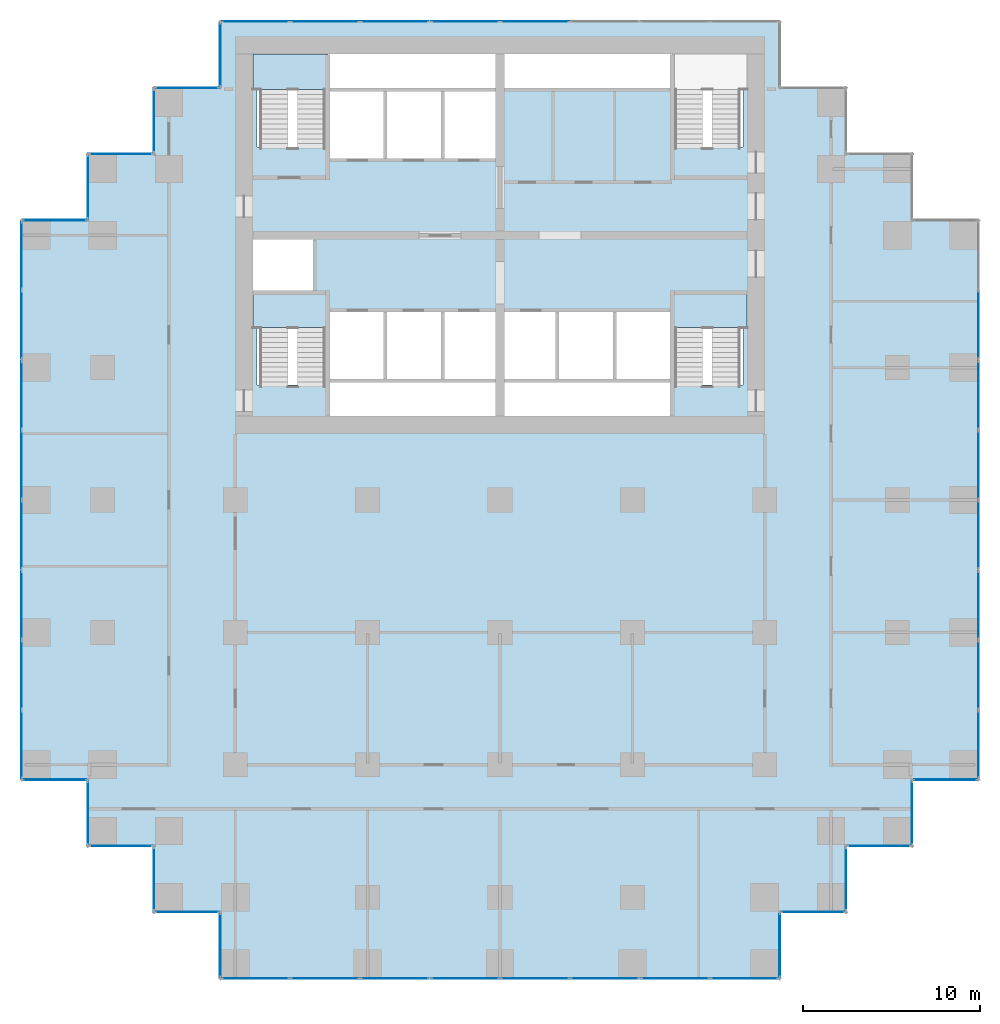
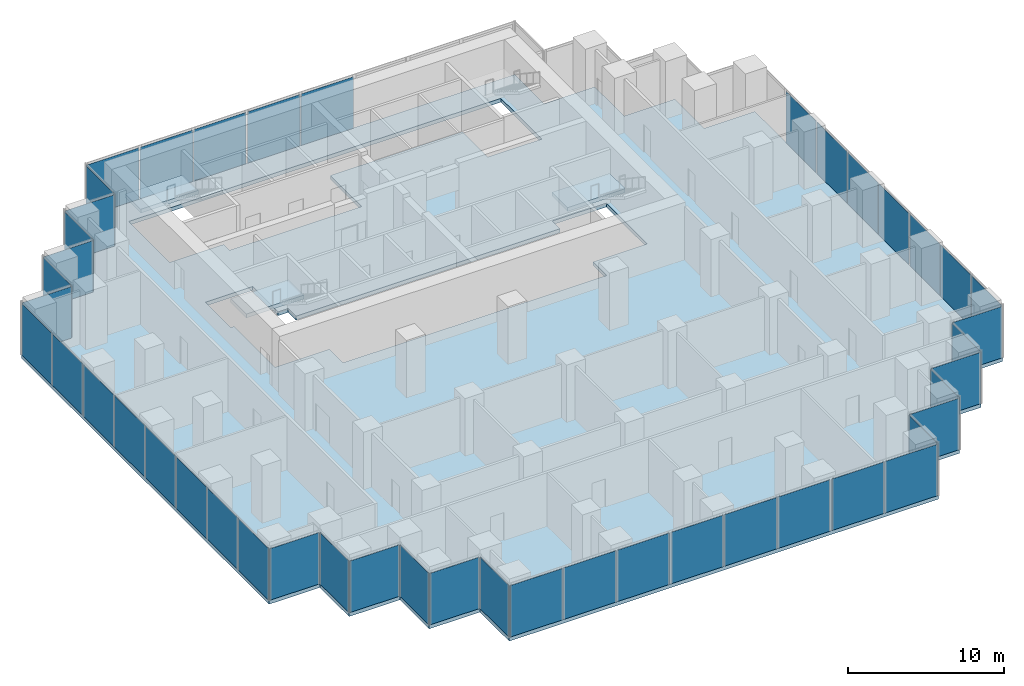
# One storey, part 6 of 10: 46 plates, 4 slabs, 32 elements without a shape of their own.
"""IFC4 building model written with IfcOpenShell, lengths in metres."""

import ifcopenshell
import ifcopenshell.guid

model = None  # the IFC model being written
_history = None  # IfcOwnerHistory: only IFC2X3 demands one
_inside = {}  # id of a spatial element -> (the spatial element, [elements in it])
_under = {}  # id of a project, library or spatial element -> (it, [spatial elements below it])
_declared = {}  # id of a project -> (the project, [libraries it declares])
_typed = {}  # id of a type object -> (the type object, [elements of that type])
_made_of = {}  # id of a material, layer set ... -> (it, [elements and type objects made of it])


def new_model(schema):
    """Start an empty IFC model of exactly this schema.

    Asked for "IFC4X3", IfcOpenShell would pick the latest addendum, in which some entities
    have other attributes; the version numbers below select the first issue.
    IFC2X3 requires an IfcOwnerHistory on every rooted entity: one is made here for all.
    """
    global model, _history
    if schema == "IFC4X3":
        model = ifcopenshell.file(schema_version=(4, 3, 0, 0))
    else:
        model = ifcopenshell.file(schema=schema)
    _inside.clear()
    _under.clear()
    _declared.clear()
    _typed.clear()
    _made_of.clear()
    _history = None
    if model.schema == "IFC2X3":
        org = make("IfcOrganization", Name="unknown")
        user = make(
            "IfcPersonAndOrganization",
            ThePerson=make("IfcPerson", FamilyName="unknown"),
            TheOrganization=org,
        )
        app = make(
            "IfcApplication",
            ApplicationDeveloper=org,
            Version="unknown",
            ApplicationFullName="unknown",
            ApplicationIdentifier="unknown",
        )
        _history = make(
            "IfcOwnerHistory",
            OwningUser=user,
            OwningApplication=app,
            ChangeAction="ADDED",
            CreationDate=0,
        )
    return model


def make(cls, **values):
    """One entity of the class cls with the attributes given. An attribute that is None is left unset."""
    return model.create_entity(
        cls, **{name: value for name, value in values.items() if value is not None}
    )


def rooted(cls, **values):
    """An entity with a GlobalId (a new one), such as an element, a storey or a relation."""
    return make(cls, GlobalId=ifcopenshell.guid.new(), OwnerHistory=_history, **values)


def si_unit(unit_type, name, prefix=None):
    """IfcSIUnit, for example si_unit("LENGTHUNIT", "METRE", prefix="MILLI")."""
    return make("IfcSIUnit", UnitType=unit_type, Prefix=prefix, Name=name)


def assignment(units):
    """IfcUnitAssignment: the units of a project."""
    return None if units is None else make("IfcUnitAssignment", Units=units)


def point(xyz):
    """IfcCartesianPoint."""
    return None if xyz is None else make("IfcCartesianPoint", Coordinates=xyz)


def direction(xyz):
    """IfcDirection."""
    return None if xyz is None else make("IfcDirection", DirectionRatios=xyz)


def frame(location, z_axis=None, x_axis=None):
    """IfcAxis2Placement3D, a coordinate frame: its origin and axes. An axis left out is left unset."""
    return make(
        "IfcAxis2Placement3D",
        Location=point(location),
        Axis=direction(z_axis),
        RefDirection=direction(x_axis),
    )


def frame_2d(location, x_axis=None):
    """IfcAxis2Placement2D, a coordinate frame in the plane: its origin and x axis."""
    return make(
        "IfcAxis2Placement2D", Location=point(location), RefDirection=direction(x_axis)
    )


def origin():
    """The frame at (0, 0, 0) with its axes left unset."""
    return frame((0.0, 0.0, 0.0))


def origin_2d():
    """The frame at (0, 0) in the plane with its x axis left unset."""
    return frame_2d((0.0, 0.0))


def place(relative_to, where):
    """IfcLocalPlacement: puts the frame where relative to a parent placement (None: the world)."""
    return make(
        "IfcLocalPlacement", PlacementRelTo=relative_to, RelativePlacement=where
    )


def context(
    kind, dimensions, precision=None, world=None, true_north=None, identifier=None
):
    """IfcGeometricRepresentationContext, for example the 3D "Model" context."""
    return make(
        "IfcGeometricRepresentationContext",
        ContextIdentifier=identifier,
        ContextType=kind,
        CoordinateSpaceDimension=dimensions,
        Precision=precision,
        WorldCoordinateSystem=world,
        TrueNorth=true_north,
    )


def subcontext(parent, identifier, kind, view, scale=None):
    """IfcGeometricRepresentationSubContext, for example "Body" below "Model"."""
    return make(
        "IfcGeometricRepresentationSubContext",
        ContextIdentifier=identifier,
        ContextType=kind,
        ParentContext=parent,
        TargetScale=scale,
        TargetView=view,
    )


def project(units=None, contexts=None):
    """IfcProject with its units and contexts."""
    return rooted(
        "IfcProject",
        Name="project",
        RepresentationContexts=contexts,
        UnitsInContext=assignment(units),
    )


def spatial(cls, under=None, at=None, **own):
    """A site, building, storey or space (cls), placed at a placement, below another one or the project."""
    s = rooted(cls, ObjectPlacement=at, **own)
    if under is not None:
        _under.setdefault(under.id(), (under, []))[1].append(s)
    return s


def polyline(points):
    """IfcPolyline through the points."""
    return make("IfcPolyline", Points=[point(p) for p in points])


def profile(cls, at=None, kind="AREA", **sizes):
    """A parametric profile (cls). Its sizes go by their IFC names, for example OverallWidth=200.0."""
    return make(cls, ProfileType=kind, Position=at, **sizes)


def rectangle(**sizes):
    """IfcRectangleProfileDef."""
    return profile("IfcRectangleProfileDef", **sizes)


def outline(outer, holes=None, kind="AREA"):
    """IfcArbitraryClosedProfileDef: a profile drawn as a closed curve; with holes, ...WithVoids."""
    if holes is None:
        return make("IfcArbitraryClosedProfileDef", ProfileType=kind, OuterCurve=outer)
    return make(
        "IfcArbitraryProfileDefWithVoids",
        ProfileType=kind,
        OuterCurve=outer,
        InnerCurves=holes,
    )


def extrude(swept, where, along, depth):
    """IfcExtrudedAreaSolid: the profile swept, set in the frame where, extruded along a direction by depth."""
    return make(
        "IfcExtrudedAreaSolid",
        SweptArea=swept,
        Position=where,
        ExtrudedDirection=direction(along),
        Depth=depth,
    )


def shape(context_of_items, identifier, shape_type, items):
    """IfcShapeRepresentation: the items that make up one representation, for example the "Body"."""
    return make(
        "IfcShapeRepresentation",
        ContextOfItems=context_of_items,
        RepresentationIdentifier=identifier,
        RepresentationType=shape_type,
        Items=items,
    )


def material(Name=None, Category=None):
    """IfcMaterial."""
    return make("IfcMaterial", Name=Name, Category=Category)


def layer(
    of_material, thickness, ventilated=None, Name=None, Category=None, Priority=None
):
    """IfcMaterialLayer: one layer of a wall or slab, of a material (None: an air gap)."""
    return make(
        "IfcMaterialLayer",
        Material=of_material,
        LayerThickness=thickness,
        IsVentilated=ventilated,
        Name=Name,
        Category=Category,
        Priority=Priority,
    )


def layer_set(layers, Name=None):
    """IfcMaterialLayerSet."""
    return make("IfcMaterialLayerSet", MaterialLayers=layers, LayerSetName=Name)


def made_of(thing, what):
    """Note that an element or type object is made of a material, layer set ...; save() writes the relation."""
    if what is not None:
        _made_of.setdefault(what.id(), (what, []))[1].append(thing)
    return thing


def type_object(cls, material=None, **own):
    """A type object (cls), such as IfcWallType, which elements share."""
    return made_of(rooted(cls, **own), material)


def element(
    cls,
    number,
    at=None,
    inside=None,
    cuts=None,
    type_object=None,
    material=None,
    context=None,
    identifier="Body",
    shape_type=None,
    held_by="IfcProductDefinitionShape",
    body=None,
    shapes=None,
    **own,
):
    """One element of the class cls, such as IfcWall. Its Tag is "e" and its number.

    at: its placement. inside: the storey or other place that contains it. cuts: it is an
    opening in that element (IfcRelVoidsElement). A single representation is given by context,
    identifier, shape_type and body (its items); several are given by shapes. held_by: the class
    of the entity that holds the representations. save() writes the other relations.
    """
    e = rooted(cls, Tag="e%d" % number, ObjectPlacement=at, **own)
    if body is not None:
        shapes = [shape(context, identifier, shape_type, body)]
    if shapes is not None:
        e.Representation = make(held_by, Representations=shapes)
    if inside is not None:
        _inside.setdefault(inside.id(), (inside, []))[1].append(e)
    if cuts is not None:
        rooted(
            "IfcRelVoidsElement", RelatingBuildingElement=cuts, RelatedOpeningElement=e
        )
    if type_object is not None:
        _typed.setdefault(type_object.id(), (type_object, []))[1].append(e)
    return made_of(e, material)


def aggregate(whole, parts):
    """IfcRelAggregates: a whole, such as a stair, and the parts it consists of."""
    return rooted("IfcRelAggregates", RelatingObject=whole, RelatedObjects=parts)


def save(model, path):
    """Write the relations noted so far, then the file.

    IfcRelAggregates (storeys below a building ...), IfcRelContainedInSpatialStructure (elements
    in a storey), IfcRelDefinesByType, IfcRelAssociatesMaterial and IfcRelDeclares: one each for
    every whole, place, type object, material and project.
    """
    for whole, parts in _under.values():
        aggregate(whole, parts)
    for where, things in _inside.values():
        rooted(
            "IfcRelContainedInSpatialStructure",
            RelatedElements=things,
            RelatingStructure=where,
        )
    for kind, things in _typed.values():
        rooted("IfcRelDefinesByType", RelatedObjects=things, RelatingType=kind)
    for what, things in _made_of.values():
        rooted("IfcRelAssociatesMaterial", RelatedObjects=things, RelatingMaterial=what)
    for by, libraries in _declared.values():
        rooted("IfcRelDeclares", RelatingContext=by, RelatedDefinitions=libraries)
    model.write(path)


model = new_model("IFC4")

# Units and contexts
model_context = context("Model", 3, precision=1e-05, world=origin(), true_north=direction((0.0, 1.0)))
body_context = subcontext(model_context, "Body", "Model", "MODEL_VIEW")
ifc_project = project(units=[si_unit("LENGTHUNIT", "METRE"), si_unit("AREAUNIT", "SQUARE_METRE"), si_unit("VOLUMEUNIT", "CUBIC_METRE"), si_unit("PLANEANGLEUNIT", "RADIAN"), si_unit("MASSUNIT", "GRAM", prefix="KILO")], contexts=[model_context])

# Site, building, storey
site_placement = place(None, origin())
site = spatial("IfcSite", under=ifc_project, at=site_placement, CompositionType="ELEMENT")
building_placement = place(site_placement, origin())
building = spatial("IfcBuilding", under=site, at=building_placement, Name="Pilkhan Gate Tower", CompositionType="ELEMENT")
storey_placement = place(building_placement, frame((0.0, 0.0, 35.0)))
storey = spatial("IfcBuildingStorey", under=building, at=storey_placement, Name="L05", CompositionType="ELEMENT", Elevation=35.0)

# Slab
ifc_material_1 = material(Name="Concrete C40/50", Category="concrete")
ifc_layer_1 = layer(ifc_material_1, 0.300048828125)
ifc_layer_set_1 = layer_set([ifc_layer_1], Name="Flat plate slab FP300")
slab_type_1 = type_object("IfcSlabType", Name="Flat plate slab FP300", PredefinedType="FLOOR", material=ifc_layer_set_1)
slab_1_placement = place(storey_placement, frame((0.0, 0.0, -0.300048828125)))
element("IfcSlab", 1, at=slab_1_placement, inside=storey, type_object=slab_type_1, Name="Floor slab L05", PredefinedType="FLOOR", context=body_context, shape_type="SweptSolid", body=[
    extrude(outline(polyline([(98.35009765625, 47.89990234375), (94.60009765625, 47.89990234375), (94.60009765625, 44.14990234375), (90.85009765625, 44.14990234375), (90.85009765625, 40.39990234375), (59.14990234375, 40.39990234375), (59.14990234375, 44.14990234375), (55.39990234375, 44.14990234375), (55.39990234375, 47.89990234375), (51.64990234375, 47.89990234375), (51.64990234375, 51.64990234375), (47.89990234375, 51.64990234375), (47.89990234375, 83.35009765625), (51.64990234375, 83.35009765625), (51.64990234375, 87.10009765625), (55.39990234375, 87.10009765625), (55.39990234375, 90.85009765625), (59.14990234375, 90.85009765625), (59.14990234375, 94.60009765625), (90.85009765625, 94.60009765625), (90.85009765625, 90.85009765625), (94.60009765625, 90.85009765625), (94.60009765625, 87.10009765625), (98.35009765625, 87.10009765625), (98.35009765625, 83.35009765625), (102.10009765625, 83.35009765625), (102.10009765625, 51.64990234375), (98.35009765625, 51.64990234375), (98.35009765625, 47.89990234375)]), holes=[polyline([(65.25, 87.5), (65.25, 86.75), (68.5, 86.75), (71.75, 86.75), (75.0, 86.75), (75.0, 90.75), (84.75, 90.75), (84.75, 87.5), (88.75, 87.5), (88.75, 92.75), (84.75, 92.75), (75.0, 92.75), (65.25, 92.75), (61.25, 92.75), (61.25, 87.5), (65.25, 87.5)]), polyline([(75.0, 72.25), (84.75, 72.25), (84.75, 74.0), (88.75, 74.0), (88.75, 79.25), (84.75, 79.25), (84.75, 78.25), (81.5, 78.25), (78.25, 78.25), (75.0, 78.25), (71.75, 78.25), (68.5, 78.25), (65.25, 78.25), (65.25, 79.25), (64.5, 79.25), (64.5, 82.5), (61.25, 82.5), (61.0, 82.5), (61.0, 79.25), (61.25, 79.25), (61.25, 74.0), (65.25, 74.0), (65.25, 72.25), (75.0, 72.25)])]), origin(), (0.0, 0.0, 1.0), 0.300048828125),
])

# Curtain wall, plates
ifc_material_2 = material(Name="Pale anodised aluminium, clear low-iron double glazing", Category="aluminium")
curtain_wall_type = type_object("IfcCurtainWallType", Name="Hotel unitised curtain wall CW-H", PredefinedType="USERDEFINED", material=ifc_material_2)
curtain_wall_1_placement = place(storey_placement, origin())
curtain_wall_1 = element("IfcCurtainWall", 2, at=curtain_wall_1_placement, inside=storey, type_object=curtain_wall_type, Name="Hotel unitised curtain wall CW-H L05 E", ObjectType="UNITISED CURTAIN WALL", PredefinedType="USERDEFINED")
ifc_material_3 = material(Name="Clear low-iron double glazing", Category="glass")
ifc_layer_2 = layer(ifc_material_3, 0.035888671875)
ifc_layer_set_2 = layer_set([ifc_layer_2], Name="Glass panel CW-H 36")
plate_type = type_object("IfcPlateType", Name="Glass panel CW-H 36", PredefinedType="CURTAIN_PANEL", material=ifc_layer_set_2)
plate_1_placement = place(storey_placement, frame((102.094970703125, 53.65185546875, 0.0), z_axis=(0.0, 0.0, 1.0), x_axis=(0.0, 1.0, 0.0)))
plate_1 = element("IfcPlate", 3, at=plate_1_placement, type_object=plate_type, Name="CW-H panel 1", PredefinedType="CURTAIN_PANEL", context=body_context, shape_type="SweptSolid", body=[
    extrude(rectangle(XDim=3.86376953125, YDim=0.035888671875, at=origin_2d()), origin(), (0.0, 0.0, 1.0), 4.02001953125),
])
plate_2_placement = place(storey_placement, frame((102.094970703125, 57.596923828125, 0.0), z_axis=(0.0, 0.0, 1.0), x_axis=(0.0, 1.0, 0.0)))
plate_2 = element("IfcPlate", 4, at=plate_2_placement, type_object=plate_type, Name="CW-H panel 2", PredefinedType="CURTAIN_PANEL", context=body_context, shape_type="SweptSolid", body=[
    extrude(rectangle(XDim=3.896240234375, YDim=0.035888671875, at=origin_2d()), origin(), (0.0, 0.0, 1.0), 4.02001953125),
])
plate_3_placement = place(storey_placement, frame((102.094970703125, 61.5419921875, 0.0), z_axis=(0.0, 0.0, 1.0), x_axis=(0.0, 1.0, 0.0)))
plate_3 = element("IfcPlate", 5, at=plate_3_placement, type_object=plate_type, Name="CW-H panel 3", PredefinedType="CURTAIN_PANEL", context=body_context, shape_type="SweptSolid", body=[
    extrude(rectangle(XDim=3.86376953125, YDim=0.035888671875, at=origin_2d()), origin(), (0.0, 0.0, 1.0), 4.02001953125),
])
aggregate(curtain_wall_1, [plate_1, plate_2, plate_3])

curtain_wall_2_placement = place(storey_placement, origin())
curtain_wall_2 = element("IfcCurtainWall", 6, at=curtain_wall_2_placement, inside=storey, type_object=curtain_wall_type, Name="Hotel unitised curtain wall CW-H L05 E", ObjectType="UNITISED CURTAIN WALL", PredefinedType="USERDEFINED")
plate_4_placement = place(storey_placement, frame((102.094970703125, 65.53564453125, 0.0), z_axis=(0.0, 0.0, 1.0), x_axis=(0.0, 1.0, 0.0)))
plate_4 = element("IfcPlate", 7, at=plate_4_placement, type_object=plate_type, Name="CW-H panel 1", PredefinedType="CURTAIN_PANEL", context=body_context, shape_type="SweptSolid", body=[
    extrude(rectangle(XDim=3.86376953125, YDim=0.035888671875, at=origin_2d()), origin(), (0.0, 0.0, 1.0), 4.02001953125),
])
plate_5_placement = place(storey_placement, frame((102.094970703125, 69.480712890625, 0.0), z_axis=(0.0, 0.0, 1.0), x_axis=(0.0, 1.0, 0.0)))
plate_5 = element("IfcPlate", 8, at=plate_5_placement, type_object=plate_type, Name="CW-H panel 2", PredefinedType="CURTAIN_PANEL", context=body_context, shape_type="SweptSolid", body=[
    extrude(rectangle(XDim=3.896240234375, YDim=0.035888671875, at=origin_2d()), origin(), (0.0, 0.0, 1.0), 4.02001953125),
])
plate_6_placement = place(storey_placement, frame((102.094970703125, 73.425537109375, 0.0), z_axis=(0.0, 0.0, 1.0), x_axis=(0.0, 1.0, 0.0)))
plate_6 = element("IfcPlate", 9, at=plate_6_placement, type_object=plate_type, Name="CW-H panel 3", PredefinedType="CURTAIN_PANEL", context=body_context, shape_type="SweptSolid", body=[
    extrude(rectangle(XDim=3.86376953125, YDim=0.035888671875, at=origin_2d()), origin(), (0.0, 0.0, 1.0), 4.02001953125),
])
aggregate(curtain_wall_2, [plate_4, plate_5, plate_6])

# Curtain wall, plate
curtain_wall_3_placement = place(storey_placement, origin())
curtain_wall_3 = element("IfcCurtainWall", 10, at=curtain_wall_3_placement, inside=storey, type_object=curtain_wall_type, Name="Hotel unitised curtain wall CW-H L05 E", ObjectType="UNITISED CURTAIN WALL", PredefinedType="USERDEFINED")
plate_7_placement = place(storey_placement, frame((102.094970703125, 77.41943359375, 0.0), z_axis=(0.0, 0.0, 1.0), x_axis=(0.0, 1.0, 0.0)))
plate_7 = element("IfcPlate", 11, at=plate_7_placement, type_object=plate_type, Name="CW-H panel 1", PredefinedType="CURTAIN_PANEL", context=body_context, shape_type="SweptSolid", body=[
    extrude(rectangle(XDim=3.86376953125, YDim=0.035888671875, at=origin_2d()), origin(), (0.0, 0.0, 1.0), 4.02001953125),
])
aggregate(curtain_wall_3, [plate_7])

# Curtain wall, plates
curtain_wall_4_placement = place(storey_placement, origin())
curtain_wall_4 = element("IfcCurtainWall", 12, at=curtain_wall_4_placement, inside=storey, type_object=curtain_wall_type, Name="Hotel unitised curtain wall CW-H L05 N", ObjectType="UNITISED CURTAIN WALL", PredefinedType="USERDEFINED")
plate_8_placement = place(storey_placement, frame((61.15185546875, 94.594970703125, 0.0), z_axis=(0.0, 0.0, 1.0), x_axis=(1.0, 0.0, 0.0)))
plate_8 = element("IfcPlate", 13, at=plate_8_placement, type_object=plate_type, Name="CW-H panel 1", PredefinedType="CURTAIN_PANEL", context=body_context, shape_type="SweptSolid", body=[
    extrude(rectangle(XDim=3.86376953125, YDim=0.035888671875, at=origin_2d()), origin(), (0.0, 0.0, 1.0), 4.02001953125),
])
plate_9_placement = place(storey_placement, frame((65.096923828125, 94.594970703125, 0.0), z_axis=(0.0, 0.0, 1.0), x_axis=(1.0, 0.0, 0.0)))
plate_9 = element("IfcPlate", 14, at=plate_9_placement, type_object=plate_type, Name="CW-H panel 2", PredefinedType="CURTAIN_PANEL", context=body_context, shape_type="SweptSolid", body=[
    extrude(rectangle(XDim=3.896240234375, YDim=0.035888671875, at=origin_2d()), origin(), (0.0, 0.0, 1.0), 4.02001953125),
])
plate_10_placement = place(storey_placement, frame((69.0419921875, 94.594970703125, 0.0), z_axis=(0.0, 0.0, 1.0), x_axis=(1.0, 0.0, 0.0)))
plate_10 = element("IfcPlate", 15, at=plate_10_placement, type_object=plate_type, Name="CW-H panel 3", PredefinedType="CURTAIN_PANEL", context=body_context, shape_type="SweptSolid", body=[
    extrude(rectangle(XDim=3.86376953125, YDim=0.035888671875, at=origin_2d()), origin(), (0.0, 0.0, 1.0), 4.02001953125),
])
aggregate(curtain_wall_4, [plate_8, plate_9, plate_10])

curtain_wall_5_placement = place(storey_placement, origin())
curtain_wall_5 = element("IfcCurtainWall", 16, at=curtain_wall_5_placement, inside=storey, type_object=curtain_wall_type, Name="Hotel unitised curtain wall CW-H L05 N", ObjectType="UNITISED CURTAIN WALL", PredefinedType="USERDEFINED")
plate_11_placement = place(storey_placement, frame((73.03564453125, 94.594970703125, 0.0), z_axis=(0.0, 0.0, 1.0), x_axis=(1.0, 0.0, 0.0)))
plate_11 = element("IfcPlate", 17, at=plate_11_placement, type_object=plate_type, Name="CW-H panel 1", PredefinedType="CURTAIN_PANEL", context=body_context, shape_type="SweptSolid", body=[
    extrude(rectangle(XDim=3.86376953125, YDim=0.035888671875, at=origin_2d()), origin(), (0.0, 0.0, 1.0), 4.02001953125),
])
plate_12_placement = place(storey_placement, frame((76.980712890625, 94.594970703125, 0.0), z_axis=(0.0, 0.0, 1.0), x_axis=(1.0, 0.0, 0.0)))
plate_12 = element("IfcPlate", 18, at=plate_12_placement, type_object=plate_type, Name="CW-H panel 2", PredefinedType="CURTAIN_PANEL", context=body_context, shape_type="SweptSolid", body=[
    extrude(rectangle(XDim=3.896240234375, YDim=0.035888671875, at=origin_2d()), origin(), (0.0, 0.0, 1.0), 4.02001953125),
])
aggregate(curtain_wall_5, [plate_11, plate_12])

# Curtain wall, plate
curtain_wall_6_placement = place(storey_placement, origin())
curtain_wall_6 = element("IfcCurtainWall", 19, at=curtain_wall_6_placement, inside=storey, type_object=curtain_wall_type, Name="Hotel unitised curtain wall CW-H L05 W", ObjectType="UNITISED CURTAIN WALL", PredefinedType="USERDEFINED")
plate_13_placement = place(storey_placement, frame((59.155029296875, 92.719970703125, 0.0), z_axis=(0.0, 0.0, 1.0), x_axis=(0.0, 1.0, 0.0)))
plate_13 = element("IfcPlate", 20, at=plate_13_placement, type_object=plate_type, Name="CW-H panel 1", PredefinedType="CURTAIN_PANEL", context=body_context, shape_type="SweptSolid", body=[
    extrude(rectangle(XDim=3.6201171875, YDim=0.035888671875, at=origin_2d()), origin(), (0.0, 0.0, 1.0), 4.02001953125),
])
aggregate(curtain_wall_6, [plate_13])

curtain_wall_7_placement = place(storey_placement, origin())
curtain_wall_7 = element("IfcCurtainWall", 21, at=curtain_wall_7_placement, inside=storey, type_object=curtain_wall_type, Name="Hotel unitised curtain wall CW-H L05 N", ObjectType="UNITISED CURTAIN WALL", PredefinedType="USERDEFINED")
plate_14_placement = place(storey_placement, frame((57.280029296875, 90.844970703125, 0.0), z_axis=(0.0, 0.0, 1.0), x_axis=(1.0, 0.0, 0.0)))
plate_14 = element("IfcPlate", 22, at=plate_14_placement, type_object=plate_type, Name="CW-H panel 1", PredefinedType="CURTAIN_PANEL", context=body_context, shape_type="SweptSolid", body=[
    extrude(rectangle(XDim=3.6201171875, YDim=0.035888671875, at=origin_2d()), origin(), (0.0, 0.0, 1.0), 4.02001953125),
])
aggregate(curtain_wall_7, [plate_14])

curtain_wall_8_placement = place(storey_placement, origin())
curtain_wall_8 = element("IfcCurtainWall", 23, at=curtain_wall_8_placement, inside=storey, type_object=curtain_wall_type, Name="Hotel unitised curtain wall CW-H L05 W", ObjectType="UNITISED CURTAIN WALL", PredefinedType="USERDEFINED")
plate_15_placement = place(storey_placement, frame((55.405029296875, 88.969970703125, 0.0), z_axis=(0.0, 0.0, 1.0), x_axis=(0.0, 1.0, 0.0)))
plate_15 = element("IfcPlate", 24, at=plate_15_placement, type_object=plate_type, Name="CW-H panel 1", PredefinedType="CURTAIN_PANEL", context=body_context, shape_type="SweptSolid", body=[
    extrude(rectangle(XDim=3.6201171875, YDim=0.035888671875, at=origin_2d()), origin(), (0.0, 0.0, 1.0), 4.02001953125),
])
aggregate(curtain_wall_8, [plate_15])

curtain_wall_9_placement = place(storey_placement, origin())
curtain_wall_9 = element("IfcCurtainWall", 25, at=curtain_wall_9_placement, inside=storey, type_object=curtain_wall_type, Name="Hotel unitised curtain wall CW-H L05 N", ObjectType="UNITISED CURTAIN WALL", PredefinedType="USERDEFINED")
plate_16_placement = place(storey_placement, frame((53.530029296875, 87.094970703125, 0.0), z_axis=(0.0, 0.0, 1.0), x_axis=(1.0, 0.0, 0.0)))
plate_16 = element("IfcPlate", 26, at=plate_16_placement, type_object=plate_type, Name="CW-H panel 1", PredefinedType="CURTAIN_PANEL", context=body_context, shape_type="SweptSolid", body=[
    extrude(rectangle(XDim=3.6201171875, YDim=0.035888671875, at=origin_2d()), origin(), (0.0, 0.0, 1.0), 4.02001953125),
])
aggregate(curtain_wall_9, [plate_16])

curtain_wall_10_placement = place(storey_placement, origin())
curtain_wall_10 = element("IfcCurtainWall", 27, at=curtain_wall_10_placement, inside=storey, type_object=curtain_wall_type, Name="Hotel unitised curtain wall CW-H L05 W", ObjectType="UNITISED CURTAIN WALL", PredefinedType="USERDEFINED")
plate_17_placement = place(storey_placement, frame((51.655029296875, 85.219970703125, 0.0), z_axis=(0.0, 0.0, 1.0), x_axis=(0.0, 1.0, 0.0)))
plate_17 = element("IfcPlate", 28, at=plate_17_placement, type_object=plate_type, Name="CW-H panel 1", PredefinedType="CURTAIN_PANEL", context=body_context, shape_type="SweptSolid", body=[
    extrude(rectangle(XDim=3.6201171875, YDim=0.035888671875, at=origin_2d()), origin(), (0.0, 0.0, 1.0), 4.02001953125),
])
aggregate(curtain_wall_10, [plate_17])

curtain_wall_11_placement = place(storey_placement, origin())
curtain_wall_11 = element("IfcCurtainWall", 29, at=curtain_wall_11_placement, inside=storey, type_object=curtain_wall_type, Name="Hotel unitised curtain wall CW-H L05 N", ObjectType="UNITISED CURTAIN WALL", PredefinedType="USERDEFINED")
plate_18_placement = place(storey_placement, frame((49.780029296875, 83.344970703125, 0.0), z_axis=(0.0, 0.0, 1.0), x_axis=(1.0, 0.0, 0.0)))
plate_18 = element("IfcPlate", 30, at=plate_18_placement, type_object=plate_type, Name="CW-H panel 1", PredefinedType="CURTAIN_PANEL", context=body_context, shape_type="SweptSolid", body=[
    extrude(rectangle(XDim=3.6201171875, YDim=0.035888671875, at=origin_2d()), origin(), (0.0, 0.0, 1.0), 4.02001953125),
])
aggregate(curtain_wall_11, [plate_18])

# Curtain wall, plates
curtain_wall_12_placement = place(storey_placement, origin())
curtain_wall_12 = element("IfcCurtainWall", 31, at=curtain_wall_12_placement, inside=storey, type_object=curtain_wall_type, Name="Hotel unitised curtain wall CW-H L05 W", ObjectType="UNITISED CURTAIN WALL", PredefinedType="USERDEFINED")
plate_19_placement = place(storey_placement, frame((47.905029296875, 53.65185546875, 0.0), z_axis=(0.0, 0.0, 1.0), x_axis=(0.0, 1.0, 0.0)))
plate_19 = element("IfcPlate", 32, at=plate_19_placement, type_object=plate_type, Name="CW-H panel 1", PredefinedType="CURTAIN_PANEL", context=body_context, shape_type="SweptSolid", body=[
    extrude(rectangle(XDim=3.86376953125, YDim=0.035888671875, at=origin_2d()), origin(), (0.0, 0.0, 1.0), 4.02001953125),
])
plate_20_placement = place(storey_placement, frame((47.905029296875, 57.596923828125, 0.0), z_axis=(0.0, 0.0, 1.0), x_axis=(0.0, 1.0, 0.0)))
plate_20 = element("IfcPlate", 33, at=plate_20_placement, type_object=plate_type, Name="CW-H panel 2", PredefinedType="CURTAIN_PANEL", context=body_context, shape_type="SweptSolid", body=[
    extrude(rectangle(XDim=3.896240234375, YDim=0.035888671875, at=origin_2d()), origin(), (0.0, 0.0, 1.0), 4.02001953125),
])
plate_21_placement = place(storey_placement, frame((47.905029296875, 61.5419921875, 0.0), z_axis=(0.0, 0.0, 1.0), x_axis=(0.0, 1.0, 0.0)))
plate_21 = element("IfcPlate", 34, at=plate_21_placement, type_object=plate_type, Name="CW-H panel 3", PredefinedType="CURTAIN_PANEL", context=body_context, shape_type="SweptSolid", body=[
    extrude(rectangle(XDim=3.86376953125, YDim=0.035888671875, at=origin_2d()), origin(), (0.0, 0.0, 1.0), 4.02001953125),
])
aggregate(curtain_wall_12, [plate_19, plate_20, plate_21])

curtain_wall_13_placement = place(storey_placement, origin())
curtain_wall_13 = element("IfcCurtainWall", 35, at=curtain_wall_13_placement, inside=storey, type_object=curtain_wall_type, Name="Hotel unitised curtain wall CW-H L05 W", ObjectType="UNITISED CURTAIN WALL", PredefinedType="USERDEFINED")
plate_22_placement = place(storey_placement, frame((47.905029296875, 65.53564453125, 0.0), z_axis=(0.0, 0.0, 1.0), x_axis=(0.0, 1.0, 0.0)))
plate_22 = element("IfcPlate", 36, at=plate_22_placement, type_object=plate_type, Name="CW-H panel 1", PredefinedType="CURTAIN_PANEL", context=body_context, shape_type="SweptSolid", body=[
    extrude(rectangle(XDim=3.86376953125, YDim=0.035888671875, at=origin_2d()), origin(), (0.0, 0.0, 1.0), 4.02001953125),
])
plate_23_placement = place(storey_placement, frame((47.905029296875, 69.480712890625, 0.0), z_axis=(0.0, 0.0, 1.0), x_axis=(0.0, 1.0, 0.0)))
plate_23 = element("IfcPlate", 37, at=plate_23_placement, type_object=plate_type, Name="CW-H panel 2", PredefinedType="CURTAIN_PANEL", context=body_context, shape_type="SweptSolid", body=[
    extrude(rectangle(XDim=3.896240234375, YDim=0.035888671875, at=origin_2d()), origin(), (0.0, 0.0, 1.0), 4.02001953125),
])
plate_24_placement = place(storey_placement, frame((47.905029296875, 73.425537109375, 0.0), z_axis=(0.0, 0.0, 1.0), x_axis=(0.0, 1.0, 0.0)))
plate_24 = element("IfcPlate", 38, at=plate_24_placement, type_object=plate_type, Name="CW-H panel 3", PredefinedType="CURTAIN_PANEL", context=body_context, shape_type="SweptSolid", body=[
    extrude(rectangle(XDim=3.86376953125, YDim=0.035888671875, at=origin_2d()), origin(), (0.0, 0.0, 1.0), 4.02001953125),
])
aggregate(curtain_wall_13, [plate_22, plate_23, plate_24])

curtain_wall_14_placement = place(storey_placement, origin())
curtain_wall_14 = element("IfcCurtainWall", 39, at=curtain_wall_14_placement, inside=storey, type_object=curtain_wall_type, Name="Hotel unitised curtain wall CW-H L05 W", ObjectType="UNITISED CURTAIN WALL", PredefinedType="USERDEFINED")
plate_25_placement = place(storey_placement, frame((47.905029296875, 77.41943359375, 0.0), z_axis=(0.0, 0.0, 1.0), x_axis=(0.0, 1.0, 0.0)))
plate_25 = element("IfcPlate", 40, at=plate_25_placement, type_object=plate_type, Name="CW-H panel 1", PredefinedType="CURTAIN_PANEL", context=body_context, shape_type="SweptSolid", body=[
    extrude(rectangle(XDim=3.86376953125, YDim=0.035888671875, at=origin_2d()), origin(), (0.0, 0.0, 1.0), 4.02001953125),
])
plate_26_placement = place(storey_placement, frame((47.905029296875, 81.34814453125, 0.0), z_axis=(0.0, 0.0, 1.0), x_axis=(0.0, 1.0, 0.0)))
plate_26 = element("IfcPlate", 41, at=plate_26_placement, type_object=plate_type, Name="CW-H panel 2", PredefinedType="CURTAIN_PANEL", context=body_context, shape_type="SweptSolid", body=[
    extrude(rectangle(XDim=3.86376953125, YDim=0.035888671875, at=origin_2d()), origin(), (0.0, 0.0, 1.0), 4.02001953125),
])
aggregate(curtain_wall_14, [plate_25, plate_26])

# Curtain wall, plate
curtain_wall_15_placement = place(storey_placement, origin())
curtain_wall_15 = element("IfcCurtainWall", 42, at=curtain_wall_15_placement, inside=storey, type_object=curtain_wall_type, Name="Hotel unitised curtain wall CW-H L05 S", ObjectType="UNITISED CURTAIN WALL", PredefinedType="USERDEFINED")
plate_27_placement = place(storey_placement, frame((49.780029296875, 51.655029296875, 0.0), z_axis=(0.0, 0.0, 1.0), x_axis=(1.0, 0.0, 0.0)))
plate_27 = element("IfcPlate", 43, at=plate_27_placement, type_object=plate_type, Name="CW-H panel 1", PredefinedType="CURTAIN_PANEL", context=body_context, shape_type="SweptSolid", body=[
    extrude(rectangle(XDim=3.6201171875, YDim=0.035888671875, at=origin_2d()), origin(), (0.0, 0.0, 1.0), 4.02001953125),
])
aggregate(curtain_wall_15, [plate_27])

curtain_wall_16_placement = place(storey_placement, origin())
curtain_wall_16 = element("IfcCurtainWall", 44, at=curtain_wall_16_placement, inside=storey, type_object=curtain_wall_type, Name="Hotel unitised curtain wall CW-H L05 W", ObjectType="UNITISED CURTAIN WALL", PredefinedType="USERDEFINED")
plate_28_placement = place(storey_placement, frame((51.655029296875, 49.780029296875, 0.0), z_axis=(0.0, 0.0, 1.0), x_axis=(0.0, 1.0, 0.0)))
plate_28 = element("IfcPlate", 45, at=plate_28_placement, type_object=plate_type, Name="CW-H panel 1", PredefinedType="CURTAIN_PANEL", context=body_context, shape_type="SweptSolid", body=[
    extrude(rectangle(XDim=3.6201171875, YDim=0.035888671875, at=origin_2d()), origin(), (0.0, 0.0, 1.0), 4.02001953125),
])
aggregate(curtain_wall_16, [plate_28])

curtain_wall_17_placement = place(storey_placement, origin())
curtain_wall_17 = element("IfcCurtainWall", 46, at=curtain_wall_17_placement, inside=storey, type_object=curtain_wall_type, Name="Hotel unitised curtain wall CW-H L05 S", ObjectType="UNITISED CURTAIN WALL", PredefinedType="USERDEFINED")
plate_29_placement = place(storey_placement, frame((53.530029296875, 47.905029296875, 0.0), z_axis=(0.0, 0.0, 1.0), x_axis=(1.0, 0.0, 0.0)))
plate_29 = element("IfcPlate", 47, at=plate_29_placement, type_object=plate_type, Name="CW-H panel 1", PredefinedType="CURTAIN_PANEL", context=body_context, shape_type="SweptSolid", body=[
    extrude(rectangle(XDim=3.6201171875, YDim=0.035888671875, at=origin_2d()), origin(), (0.0, 0.0, 1.0), 4.02001953125),
])
aggregate(curtain_wall_17, [plate_29])

curtain_wall_18_placement = place(storey_placement, origin())
curtain_wall_18 = element("IfcCurtainWall", 48, at=curtain_wall_18_placement, inside=storey, type_object=curtain_wall_type, Name="Hotel unitised curtain wall CW-H L05 W", ObjectType="UNITISED CURTAIN WALL", PredefinedType="USERDEFINED")
plate_30_placement = place(storey_placement, frame((55.405029296875, 46.030029296875, 0.0), z_axis=(0.0, 0.0, 1.0), x_axis=(0.0, 1.0, 0.0)))
plate_30 = element("IfcPlate", 49, at=plate_30_placement, type_object=plate_type, Name="CW-H panel 1", PredefinedType="CURTAIN_PANEL", context=body_context, shape_type="SweptSolid", body=[
    extrude(rectangle(XDim=3.6201171875, YDim=0.035888671875, at=origin_2d()), origin(), (0.0, 0.0, 1.0), 4.02001953125),
])
aggregate(curtain_wall_18, [plate_30])

curtain_wall_19_placement = place(storey_placement, origin())
curtain_wall_19 = element("IfcCurtainWall", 50, at=curtain_wall_19_placement, inside=storey, type_object=curtain_wall_type, Name="Hotel unitised curtain wall CW-H L05 S", ObjectType="UNITISED CURTAIN WALL", PredefinedType="USERDEFINED")
plate_31_placement = place(storey_placement, frame((57.280029296875, 44.155029296875, 0.0), z_axis=(0.0, 0.0, 1.0), x_axis=(1.0, 0.0, 0.0)))
plate_31 = element("IfcPlate", 51, at=plate_31_placement, type_object=plate_type, Name="CW-H panel 1", PredefinedType="CURTAIN_PANEL", context=body_context, shape_type="SweptSolid", body=[
    extrude(rectangle(XDim=3.6201171875, YDim=0.035888671875, at=origin_2d()), origin(), (0.0, 0.0, 1.0), 4.02001953125),
])
aggregate(curtain_wall_19, [plate_31])

curtain_wall_20_placement = place(storey_placement, origin())
curtain_wall_20 = element("IfcCurtainWall", 52, at=curtain_wall_20_placement, inside=storey, type_object=curtain_wall_type, Name="Hotel unitised curtain wall CW-H L05 W", ObjectType="UNITISED CURTAIN WALL", PredefinedType="USERDEFINED")
plate_32_placement = place(storey_placement, frame((59.155029296875, 42.280029296875, 0.0), z_axis=(0.0, 0.0, 1.0), x_axis=(0.0, 1.0, 0.0)))
plate_32 = element("IfcPlate", 53, at=plate_32_placement, type_object=plate_type, Name="CW-H panel 1", PredefinedType="CURTAIN_PANEL", context=body_context, shape_type="SweptSolid", body=[
    extrude(rectangle(XDim=3.6201171875, YDim=0.035888671875, at=origin_2d()), origin(), (0.0, 0.0, 1.0), 4.02001953125),
])
aggregate(curtain_wall_20, [plate_32])

# Curtain wall, plates
curtain_wall_21_placement = place(storey_placement, origin())
curtain_wall_21 = element("IfcCurtainWall", 54, at=curtain_wall_21_placement, inside=storey, type_object=curtain_wall_type, Name="Hotel unitised curtain wall CW-H L05 S", ObjectType="UNITISED CURTAIN WALL", PredefinedType="USERDEFINED")
plate_33_placement = place(storey_placement, frame((61.15185546875, 40.405029296875, 0.0), z_axis=(0.0, 0.0, 1.0), x_axis=(1.0, 0.0, 0.0)))
plate_33 = element("IfcPlate", 55, at=plate_33_placement, type_object=plate_type, Name="CW-H panel 1", PredefinedType="CURTAIN_PANEL", context=body_context, shape_type="SweptSolid", body=[
    extrude(rectangle(XDim=3.86376953125, YDim=0.035888671875, at=origin_2d()), origin(), (0.0, 0.0, 1.0), 4.02001953125),
])
plate_34_placement = place(storey_placement, frame((65.096923828125, 40.405029296875, 0.0), z_axis=(0.0, 0.0, 1.0), x_axis=(1.0, 0.0, 0.0)))
plate_34 = element("IfcPlate", 56, at=plate_34_placement, type_object=plate_type, Name="CW-H panel 2", PredefinedType="CURTAIN_PANEL", context=body_context, shape_type="SweptSolid", body=[
    extrude(rectangle(XDim=3.896240234375, YDim=0.035888671875, at=origin_2d()), origin(), (0.0, 0.0, 1.0), 4.02001953125),
])
plate_35_placement = place(storey_placement, frame((69.0419921875, 40.405029296875, 0.0), z_axis=(0.0, 0.0, 1.0), x_axis=(1.0, 0.0, 0.0)))
plate_35 = element("IfcPlate", 57, at=plate_35_placement, type_object=plate_type, Name="CW-H panel 3", PredefinedType="CURTAIN_PANEL", context=body_context, shape_type="SweptSolid", body=[
    extrude(rectangle(XDim=3.86376953125, YDim=0.035888671875, at=origin_2d()), origin(), (0.0, 0.0, 1.0), 4.02001953125),
])
aggregate(curtain_wall_21, [plate_33, plate_34, plate_35])

curtain_wall_22_placement = place(storey_placement, origin())
curtain_wall_22 = element("IfcCurtainWall", 58, at=curtain_wall_22_placement, inside=storey, type_object=curtain_wall_type, Name="Hotel unitised curtain wall CW-H L05 S", ObjectType="UNITISED CURTAIN WALL", PredefinedType="USERDEFINED")
plate_36_placement = place(storey_placement, frame((73.03564453125, 40.405029296875, 0.0), z_axis=(0.0, 0.0, 1.0), x_axis=(1.0, 0.0, 0.0)))
plate_36 = element("IfcPlate", 59, at=plate_36_placement, type_object=plate_type, Name="CW-H panel 1", PredefinedType="CURTAIN_PANEL", context=body_context, shape_type="SweptSolid", body=[
    extrude(rectangle(XDim=3.86376953125, YDim=0.035888671875, at=origin_2d()), origin(), (0.0, 0.0, 1.0), 4.02001953125),
])
plate_37_placement = place(storey_placement, frame((76.980712890625, 40.405029296875, 0.0), z_axis=(0.0, 0.0, 1.0), x_axis=(1.0, 0.0, 0.0)))
plate_37 = element("IfcPlate", 60, at=plate_37_placement, type_object=plate_type, Name="CW-H panel 2", PredefinedType="CURTAIN_PANEL", context=body_context, shape_type="SweptSolid", body=[
    extrude(rectangle(XDim=3.896240234375, YDim=0.035888671875, at=origin_2d()), origin(), (0.0, 0.0, 1.0), 4.02001953125),
])
plate_38_placement = place(storey_placement, frame((80.925537109375, 40.405029296875, 0.0), z_axis=(0.0, 0.0, 1.0), x_axis=(1.0, 0.0, 0.0)))
plate_38 = element("IfcPlate", 61, at=plate_38_placement, type_object=plate_type, Name="CW-H panel 3", PredefinedType="CURTAIN_PANEL", context=body_context, shape_type="SweptSolid", body=[
    extrude(rectangle(XDim=3.86376953125, YDim=0.035888671875, at=origin_2d()), origin(), (0.0, 0.0, 1.0), 4.02001953125),
])
aggregate(curtain_wall_22, [plate_36, plate_37, plate_38])

curtain_wall_23_placement = place(storey_placement, origin())
curtain_wall_23 = element("IfcCurtainWall", 62, at=curtain_wall_23_placement, inside=storey, type_object=curtain_wall_type, Name="Hotel unitised curtain wall CW-H L05 S", ObjectType="UNITISED CURTAIN WALL", PredefinedType="USERDEFINED")
plate_39_placement = place(storey_placement, frame((84.91943359375, 40.405029296875, 0.0), z_axis=(0.0, 0.0, 1.0), x_axis=(1.0, 0.0, 0.0)))
plate_39 = element("IfcPlate", 63, at=plate_39_placement, type_object=plate_type, Name="CW-H panel 1", PredefinedType="CURTAIN_PANEL", context=body_context, shape_type="SweptSolid", body=[
    extrude(rectangle(XDim=3.86376953125, YDim=0.035888671875, at=origin_2d()), origin(), (0.0, 0.0, 1.0), 4.02001953125),
])
plate_40_placement = place(storey_placement, frame((88.84814453125, 40.405029296875, 0.0), z_axis=(0.0, 0.0, 1.0), x_axis=(1.0, 0.0, 0.0)))
plate_40 = element("IfcPlate", 64, at=plate_40_placement, type_object=plate_type, Name="CW-H panel 2", PredefinedType="CURTAIN_PANEL", context=body_context, shape_type="SweptSolid", body=[
    extrude(rectangle(XDim=3.86376953125, YDim=0.035888671875, at=origin_2d()), origin(), (0.0, 0.0, 1.0), 4.02001953125),
])
aggregate(curtain_wall_23, [plate_39, plate_40])

# Curtain wall, plate
curtain_wall_24_placement = place(storey_placement, origin())
curtain_wall_24 = element("IfcCurtainWall", 65, at=curtain_wall_24_placement, inside=storey, type_object=curtain_wall_type, Name="Hotel unitised curtain wall CW-H L05 E", ObjectType="UNITISED CURTAIN WALL", PredefinedType="USERDEFINED")
plate_41_placement = place(storey_placement, frame((90.844970703125, 42.280029296875, 0.0), z_axis=(0.0, 0.0, 1.0), x_axis=(0.0, 1.0, 0.0)))
plate_41 = element("IfcPlate", 66, at=plate_41_placement, type_object=plate_type, Name="CW-H panel 1", PredefinedType="CURTAIN_PANEL", context=body_context, shape_type="SweptSolid", body=[
    extrude(rectangle(XDim=3.6201171875, YDim=0.035888671875, at=origin_2d()), origin(), (0.0, 0.0, 1.0), 4.02001953125),
])
aggregate(curtain_wall_24, [plate_41])

curtain_wall_25_placement = place(storey_placement, origin())
curtain_wall_25 = element("IfcCurtainWall", 67, at=curtain_wall_25_placement, inside=storey, type_object=curtain_wall_type, Name="Hotel unitised curtain wall CW-H L05 S", ObjectType="UNITISED CURTAIN WALL", PredefinedType="USERDEFINED")
plate_42_placement = place(storey_placement, frame((92.719970703125, 44.155029296875, 0.0), z_axis=(0.0, 0.0, 1.0), x_axis=(1.0, 0.0, 0.0)))
plate_42 = element("IfcPlate", 68, at=plate_42_placement, type_object=plate_type, Name="CW-H panel 1", PredefinedType="CURTAIN_PANEL", context=body_context, shape_type="SweptSolid", body=[
    extrude(rectangle(XDim=3.6201171875, YDim=0.035888671875, at=origin_2d()), origin(), (0.0, 0.0, 1.0), 4.02001953125),
])
aggregate(curtain_wall_25, [plate_42])

curtain_wall_26_placement = place(storey_placement, origin())
curtain_wall_26 = element("IfcCurtainWall", 69, at=curtain_wall_26_placement, inside=storey, type_object=curtain_wall_type, Name="Hotel unitised curtain wall CW-H L05 E", ObjectType="UNITISED CURTAIN WALL", PredefinedType="USERDEFINED")
plate_43_placement = place(storey_placement, frame((94.594970703125, 46.030029296875, 0.0), z_axis=(0.0, 0.0, 1.0), x_axis=(0.0, 1.0, 0.0)))
plate_43 = element("IfcPlate", 70, at=plate_43_placement, type_object=plate_type, Name="CW-H panel 1", PredefinedType="CURTAIN_PANEL", context=body_context, shape_type="SweptSolid", body=[
    extrude(rectangle(XDim=3.6201171875, YDim=0.035888671875, at=origin_2d()), origin(), (0.0, 0.0, 1.0), 4.02001953125),
])
aggregate(curtain_wall_26, [plate_43])

curtain_wall_27_placement = place(storey_placement, origin())
curtain_wall_27 = element("IfcCurtainWall", 71, at=curtain_wall_27_placement, inside=storey, type_object=curtain_wall_type, Name="Hotel unitised curtain wall CW-H L05 S", ObjectType="UNITISED CURTAIN WALL", PredefinedType="USERDEFINED")
plate_44_placement = place(storey_placement, frame((96.469970703125, 47.905029296875, 0.0), z_axis=(0.0, 0.0, 1.0), x_axis=(1.0, 0.0, 0.0)))
plate_44 = element("IfcPlate", 72, at=plate_44_placement, type_object=plate_type, Name="CW-H panel 1", PredefinedType="CURTAIN_PANEL", context=body_context, shape_type="SweptSolid", body=[
    extrude(rectangle(XDim=3.6201171875, YDim=0.035888671875, at=origin_2d()), origin(), (0.0, 0.0, 1.0), 4.02001953125),
])
aggregate(curtain_wall_27, [plate_44])

curtain_wall_28_placement = place(storey_placement, origin())
curtain_wall_28 = element("IfcCurtainWall", 73, at=curtain_wall_28_placement, inside=storey, type_object=curtain_wall_type, Name="Hotel unitised curtain wall CW-H L05 E", ObjectType="UNITISED CURTAIN WALL", PredefinedType="USERDEFINED")
plate_45_placement = place(storey_placement, frame((98.344970703125, 49.780029296875, 0.0), z_axis=(0.0, 0.0, 1.0), x_axis=(0.0, 1.0, 0.0)))
plate_45 = element("IfcPlate", 74, at=plate_45_placement, type_object=plate_type, Name="CW-H panel 1", PredefinedType="CURTAIN_PANEL", context=body_context, shape_type="SweptSolid", body=[
    extrude(rectangle(XDim=3.6201171875, YDim=0.035888671875, at=origin_2d()), origin(), (0.0, 0.0, 1.0), 4.02001953125),
])
aggregate(curtain_wall_28, [plate_45])

curtain_wall_29_placement = place(storey_placement, origin())
curtain_wall_29 = element("IfcCurtainWall", 75, at=curtain_wall_29_placement, inside=storey, type_object=curtain_wall_type, Name="Hotel unitised curtain wall CW-H L05 S", ObjectType="UNITISED CURTAIN WALL", PredefinedType="USERDEFINED")
plate_46_placement = place(storey_placement, frame((100.219970703125, 51.655029296875, 0.0), z_axis=(0.0, 0.0, 1.0), x_axis=(1.0, 0.0, 0.0)))
plate_46 = element("IfcPlate", 76, at=plate_46_placement, type_object=plate_type, Name="CW-H panel 1", PredefinedType="CURTAIN_PANEL", context=body_context, shape_type="SweptSolid", body=[
    extrude(rectangle(XDim=3.6201171875, YDim=0.035888671875, at=origin_2d()), origin(), (0.0, 0.0, 1.0), 4.02001953125),
])
aggregate(curtain_wall_29, [plate_46])

# Stair, slab
ifc_material_4 = material(Name="Concrete C40/50 precast", Category="concrete")
stair_type_1 = type_object("IfcStairType", Name="Stair ST1 173x280", PredefinedType="HALF_TURN_STAIR", material=ifc_material_4)
stair_1_placement = place(storey_placement, origin())
stair_1 = element("IfcStair", 77, at=stair_1_placement, inside=storey, type_object=stair_type_1, Name="Stair ST1 L05", PredefinedType="HALF_TURN_STAIR")
ifc_layer_3 = layer(ifc_material_1, 0.199951171875)
ifc_layer_set_3 = layer_set([ifc_layer_3], Name="Stair landing SL200")
slab_type_2 = type_object("IfcSlabType", Name="Stair landing SL200", PredefinedType="LANDING", material=ifc_layer_set_3)
slab_2_placement = place(storey_placement, frame((0.0, 0.0, 1.949951171875)))
slab_2 = element("IfcSlab", 78, at=slab_2_placement, type_object=slab_type_2, Name="ST1 landing 1", PredefinedType="LANDING", context=body_context, shape_type="SweptSolid", body=[
    extrude(outline(polyline([(89.0, 77.260009765625), (89.0, 79.25), (84.75, 79.25), (84.75, 77.260009765625), (89.0, 77.260009765625)])), origin(), (0.0, 0.0, 1.0), 0.300048828125),
])
aggregate(stair_1, [slab_2])

stair_type_2 = type_object("IfcStairType", Name="Stair ST2 173x280", PredefinedType="HALF_TURN_STAIR", material=ifc_material_4)
stair_2_placement = place(storey_placement, origin())
stair_2 = element("IfcStair", 79, at=stair_2_placement, inside=storey, type_object=stair_type_2, Name="Stair ST2 L05", PredefinedType="HALF_TURN_STAIR")
slab_3_placement = place(storey_placement, frame((0.0, 0.0, 1.949951171875)))
slab_3 = element("IfcSlab", 80, at=slab_3_placement, type_object=slab_type_2, Name="ST2 landing 1", PredefinedType="LANDING", context=body_context, shape_type="SweptSolid", body=[
    extrude(outline(polyline([(65.25, 77.260009765625), (65.25, 79.25), (61.0, 79.25), (61.0, 77.260009765625), (65.25, 77.260009765625)])), origin(), (0.0, 0.0, 1.0), 0.300048828125),
])
aggregate(stair_2, [slab_3])

stair_type_3 = type_object("IfcStairType", Name="Stair ST3 173x280", PredefinedType="HALF_TURN_STAIR", material=ifc_material_4)
stair_3_placement = place(storey_placement, origin())
stair_3 = element("IfcStair", 81, at=stair_3_placement, inside=storey, type_object=stair_type_3, Name="Stair ST3 L05", PredefinedType="HALF_TURN_STAIR")
slab_4_placement = place(storey_placement, frame((0.0, 0.0, 1.949951171875)))
slab_4 = element("IfcSlab", 82, at=slab_4_placement, type_object=slab_type_2, Name="ST3 landing 1", PredefinedType="LANDING", context=body_context, shape_type="SweptSolid", body=[
    extrude(outline(polyline([(65.25, 90.760009765625), (65.25, 92.75), (61.0, 92.75), (61.0, 90.760009765625), (65.25, 90.760009765625)])), origin(), (0.0, 0.0, 1.0), 0.300048828125),
])
aggregate(stair_3, [slab_4])

save(model, "model.ifc")
